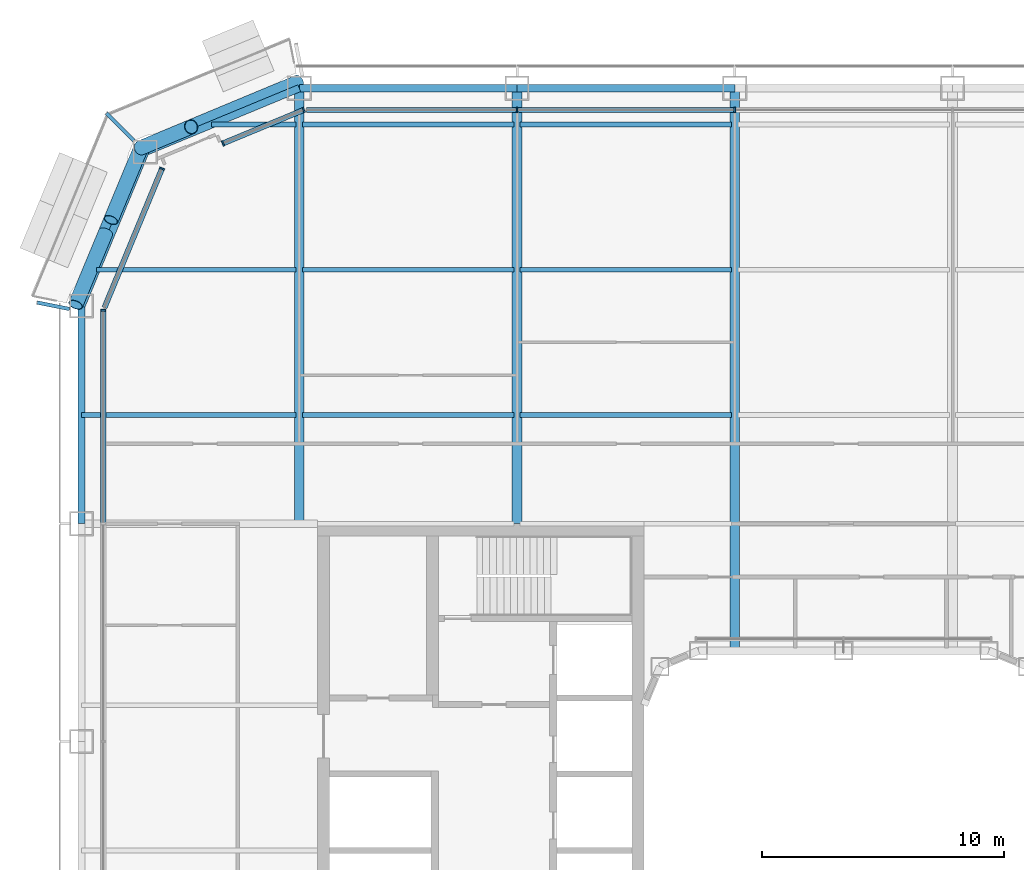
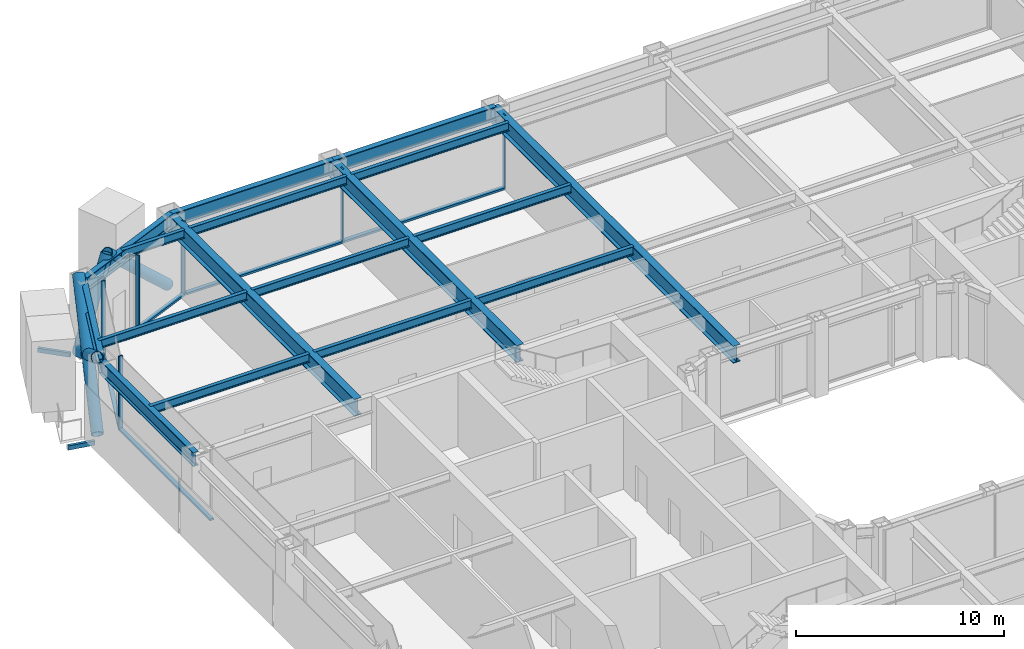
# One storey, part 7 of 28: 19 beams, 16 members, 4 elements without a shape of their own.
"""IFC4 building model written with IfcOpenShell, lengths in metres."""

import ifcopenshell
import ifcopenshell.guid

model = None  # the IFC model being written
_history = None  # IfcOwnerHistory: only IFC2X3 demands one
_inside = {}  # id of a spatial element -> (the spatial element, [elements in it])
_under = {}  # id of a project, library or spatial element -> (it, [spatial elements below it])
_declared = {}  # id of a project -> (the project, [libraries it declares])
_typed = {}  # id of a type object -> (the type object, [elements of that type])
_made_of = {}  # id of a material, layer set ... -> (it, [elements and type objects made of it])


def new_model(schema):
    """Start an empty IFC model of exactly this schema.

    Asked for "IFC4X3", IfcOpenShell would pick the latest addendum, in which some entities
    have other attributes; the version numbers below select the first issue.
    IFC2X3 requires an IfcOwnerHistory on every rooted entity: one is made here for all.
    """
    global model, _history
    if schema == "IFC4X3":
        model = ifcopenshell.file(schema_version=(4, 3, 0, 0))
    else:
        model = ifcopenshell.file(schema=schema)
    _inside.clear()
    _under.clear()
    _declared.clear()
    _typed.clear()
    _made_of.clear()
    _history = None
    if model.schema == "IFC2X3":
        org = make("IfcOrganization", Name="unknown")
        user = make(
            "IfcPersonAndOrganization",
            ThePerson=make("IfcPerson", FamilyName="unknown"),
            TheOrganization=org,
        )
        app = make(
            "IfcApplication",
            ApplicationDeveloper=org,
            Version="unknown",
            ApplicationFullName="unknown",
            ApplicationIdentifier="unknown",
        )
        _history = make(
            "IfcOwnerHistory",
            OwningUser=user,
            OwningApplication=app,
            ChangeAction="ADDED",
            CreationDate=0,
        )
    return model


def make(cls, **values):
    """One entity of the class cls with the attributes given. An attribute that is None is left unset."""
    return model.create_entity(
        cls, **{name: value for name, value in values.items() if value is not None}
    )


def rooted(cls, **values):
    """An entity with a GlobalId (a new one), such as an element, a storey or a relation."""
    return make(cls, GlobalId=ifcopenshell.guid.new(), OwnerHistory=_history, **values)


def si_unit(unit_type, name, prefix=None):
    """IfcSIUnit, for example si_unit("LENGTHUNIT", "METRE", prefix="MILLI")."""
    return make("IfcSIUnit", UnitType=unit_type, Prefix=prefix, Name=name)


def assignment(units):
    """IfcUnitAssignment: the units of a project."""
    return None if units is None else make("IfcUnitAssignment", Units=units)


def point(xyz):
    """IfcCartesianPoint."""
    return None if xyz is None else make("IfcCartesianPoint", Coordinates=xyz)


def direction(xyz):
    """IfcDirection."""
    return None if xyz is None else make("IfcDirection", DirectionRatios=xyz)


def frame(location, z_axis=None, x_axis=None):
    """IfcAxis2Placement3D, a coordinate frame: its origin and axes. An axis left out is left unset."""
    return make(
        "IfcAxis2Placement3D",
        Location=point(location),
        Axis=direction(z_axis),
        RefDirection=direction(x_axis),
    )


def frame_2d(location, x_axis=None):
    """IfcAxis2Placement2D, a coordinate frame in the plane: its origin and x axis."""
    return make(
        "IfcAxis2Placement2D", Location=point(location), RefDirection=direction(x_axis)
    )


def origin():
    """The frame at (0, 0, 0) with its axes left unset."""
    return frame((0.0, 0.0, 0.0))


def origin_2d():
    """The frame at (0, 0) in the plane with its x axis left unset."""
    return frame_2d((0.0, 0.0))


def place(relative_to, where):
    """IfcLocalPlacement: puts the frame where relative to a parent placement (None: the world)."""
    return make(
        "IfcLocalPlacement", PlacementRelTo=relative_to, RelativePlacement=where
    )


def context(
    kind, dimensions, precision=None, world=None, true_north=None, identifier=None
):
    """IfcGeometricRepresentationContext, for example the 3D "Model" context."""
    return make(
        "IfcGeometricRepresentationContext",
        ContextIdentifier=identifier,
        ContextType=kind,
        CoordinateSpaceDimension=dimensions,
        Precision=precision,
        WorldCoordinateSystem=world,
        TrueNorth=true_north,
    )


def subcontext(parent, identifier, kind, view, scale=None):
    """IfcGeometricRepresentationSubContext, for example "Body" below "Model"."""
    return make(
        "IfcGeometricRepresentationSubContext",
        ContextIdentifier=identifier,
        ContextType=kind,
        ParentContext=parent,
        TargetScale=scale,
        TargetView=view,
    )


def project(units=None, contexts=None):
    """IfcProject with its units and contexts."""
    return rooted(
        "IfcProject",
        Name="project",
        RepresentationContexts=contexts,
        UnitsInContext=assignment(units),
    )


def spatial(cls, under=None, at=None, **own):
    """A site, building, storey or space (cls), placed at a placement, below another one or the project."""
    s = rooted(cls, ObjectPlacement=at, **own)
    if under is not None:
        _under.setdefault(under.id(), (under, []))[1].append(s)
    return s


def profile(cls, at=None, kind="AREA", **sizes):
    """A parametric profile (cls). Its sizes go by their IFC names, for example OverallWidth=200.0."""
    return make(cls, ProfileType=kind, Position=at, **sizes)


def rectangle(**sizes):
    """IfcRectangleProfileDef."""
    return profile("IfcRectangleProfileDef", **sizes)


def hollow_rectangle(**sizes):
    """IfcRectangleHollowProfileDef."""
    return profile("IfcRectangleHollowProfileDef", **sizes)


def hollow_circle(**sizes):
    """IfcCircleHollowProfileDef."""
    return profile("IfcCircleHollowProfileDef", **sizes)


def i_section(**sizes):
    """IfcIShapeProfileDef."""
    return profile("IfcIShapeProfileDef", **sizes)


def extrude(swept, where, along, depth):
    """IfcExtrudedAreaSolid: the profile swept, set in the frame where, extruded along a direction by depth."""
    return make(
        "IfcExtrudedAreaSolid",
        SweptArea=swept,
        Position=where,
        ExtrudedDirection=direction(along),
        Depth=depth,
    )


def shape(context_of_items, identifier, shape_type, items):
    """IfcShapeRepresentation: the items that make up one representation, for example the "Body"."""
    return make(
        "IfcShapeRepresentation",
        ContextOfItems=context_of_items,
        RepresentationIdentifier=identifier,
        RepresentationType=shape_type,
        Items=items,
    )


def material(Name=None, Category=None):
    """IfcMaterial."""
    return make("IfcMaterial", Name=Name, Category=Category)


def layer(
    of_material, thickness, ventilated=None, Name=None, Category=None, Priority=None
):
    """IfcMaterialLayer: one layer of a wall or slab, of a material (None: an air gap)."""
    return make(
        "IfcMaterialLayer",
        Material=of_material,
        LayerThickness=thickness,
        IsVentilated=ventilated,
        Name=Name,
        Category=Category,
        Priority=Priority,
    )


def layer_set(layers, Name=None):
    """IfcMaterialLayerSet."""
    return make("IfcMaterialLayerSet", MaterialLayers=layers, LayerSetName=Name)


def material_profile(
    of_material, cross_section, Name=None, Category=None, Priority=None
):
    """IfcMaterialProfile: a cross section and its material."""
    return make(
        "IfcMaterialProfile",
        Name=Name,
        Material=of_material,
        Profile=cross_section,
        Priority=Priority,
        Category=Category,
    )


def profile_set(profiles, Name=None, composite=None):
    """IfcMaterialProfileSet."""
    return make(
        "IfcMaterialProfileSet",
        Name=Name,
        MaterialProfiles=profiles,
        CompositeProfile=composite,
    )


def made_of(thing, what):
    """Note that an element or type object is made of a material, layer set ...; save() writes the relation."""
    if what is not None:
        _made_of.setdefault(what.id(), (what, []))[1].append(thing)
    return thing


def type_object(cls, material=None, **own):
    """A type object (cls), such as IfcWallType, which elements share."""
    return made_of(rooted(cls, **own), material)


def element(
    cls,
    number,
    at=None,
    inside=None,
    cuts=None,
    type_object=None,
    material=None,
    context=None,
    identifier="Body",
    shape_type=None,
    held_by="IfcProductDefinitionShape",
    body=None,
    shapes=None,
    **own,
):
    """One element of the class cls, such as IfcWall. Its Tag is "e" and its number.

    at: its placement. inside: the storey or other place that contains it. cuts: it is an
    opening in that element (IfcRelVoidsElement). A single representation is given by context,
    identifier, shape_type and body (its items); several are given by shapes. held_by: the class
    of the entity that holds the representations. save() writes the other relations.
    """
    e = rooted(cls, Tag="e%d" % number, ObjectPlacement=at, **own)
    if body is not None:
        shapes = [shape(context, identifier, shape_type, body)]
    if shapes is not None:
        e.Representation = make(held_by, Representations=shapes)
    if inside is not None:
        _inside.setdefault(inside.id(), (inside, []))[1].append(e)
    if cuts is not None:
        rooted(
            "IfcRelVoidsElement", RelatingBuildingElement=cuts, RelatedOpeningElement=e
        )
    if type_object is not None:
        _typed.setdefault(type_object.id(), (type_object, []))[1].append(e)
    return made_of(e, material)


def aggregate(whole, parts):
    """IfcRelAggregates: a whole, such as a stair, and the parts it consists of."""
    return rooted("IfcRelAggregates", RelatingObject=whole, RelatedObjects=parts)


def save(model, path):
    """Write the relations noted so far, then the file.

    IfcRelAggregates (storeys below a building ...), IfcRelContainedInSpatialStructure (elements
    in a storey), IfcRelDefinesByType, IfcRelAssociatesMaterial and IfcRelDeclares: one each for
    every whole, place, type object, material and project.
    """
    for whole, parts in _under.values():
        aggregate(whole, parts)
    for where, things in _inside.values():
        rooted(
            "IfcRelContainedInSpatialStructure",
            RelatedElements=things,
            RelatingStructure=where,
        )
    for kind, things in _typed.values():
        rooted("IfcRelDefinesByType", RelatedObjects=things, RelatingType=kind)
    for what, things in _made_of.values():
        rooted("IfcRelAssociatesMaterial", RelatedObjects=things, RelatingMaterial=what)
    for by, libraries in _declared.values():
        rooted("IfcRelDeclares", RelatingContext=by, RelatedDefinitions=libraries)
    model.write(path)


model = new_model("IFC4")

# Units and contexts
model_context = context("Model", 3, precision=1e-05, world=origin(), true_north=direction((0.0, 1.0)))
body_context = subcontext(model_context, "Body", "Model", "MODEL_VIEW")
ifc_project = project(units=[si_unit("LENGTHUNIT", "METRE"), si_unit("AREAUNIT", "SQUARE_METRE"), si_unit("VOLUMEUNIT", "CUBIC_METRE"), si_unit("PLANEANGLEUNIT", "RADIAN"), si_unit("MASSUNIT", "GRAM", prefix="KILO")], contexts=[model_context])

# Site, building, storey
site_placement = place(None, origin())
site = spatial("IfcSite", under=ifc_project, at=site_placement, CompositionType="ELEMENT")
building_placement = place(site_placement, origin())
building = spatial("IfcBuilding", under=site, at=building_placement, Name="Siwar Civic Tower", CompositionType="ELEMENT")
storey_placement = place(building_placement, frame((0.0, 0.0, 85.199951171875)))
storey = spatial("IfcBuildingStorey", under=building, at=storey_placement, Name="L18", CompositionType="ELEMENT", Elevation=85.199951171875)

# Beams
ifc_material_1 = material(Name="Steel S355", Category="steel")
ifc_material_profile_1 = material_profile(ifc_material_1, hollow_rectangle(XDim=0.14990234375, YDim=0.25, WallThickness=0.010009765625, at=origin_2d()), Name="RHS250x150x10")
ifc_profile_set_1 = profile_set([ifc_material_profile_1], Name="Steel S355")
beam_type_1 = type_object("IfcBeamType", Name="ENV-BALCONY ARM", PredefinedType="BEAM", material=ifc_profile_set_1)
beam_1_placement = place(storey_placement, frame((-29.32861328125, 29.32861328125, -0.27490234375), z_axis=(-0.707106781187, 0.707106781187, 0.0), x_axis=(-0.707106781187, -0.707106781187, 0.0)))
element("IfcBeam", 1, at=beam_1_placement, inside=storey, type_object=beam_type_1, Name="Balcony cantilever beam NW 2", PredefinedType="BEAM", context=body_context, shape_type="SweptSolid", body=[
    extrude(hollow_rectangle(XDim=0.14990234375, YDim=0.25, WallThickness=0.010009765625, at=origin_2d()), origin(), (0.0, 0.0, 1.0), 1.615966796875),
])
beam_2_placement = place(storey_placement, frame((-32.0, 22.375244140625, -0.27490234375), z_axis=(-0.980807679798, 0.194977678848, 0.0), x_axis=(-0.194977678848, -0.980807679798, 0.0)))
element("IfcBeam", 2, at=beam_2_placement, inside=storey, type_object=beam_type_1, Name="Balcony cantilever beam NW 3", PredefinedType="BEAM", context=body_context, shape_type="SweptSolid", body=[
    extrude(hollow_rectangle(XDim=0.14990234375, YDim=0.25, WallThickness=0.010009765625, at=origin_2d()), origin(), (0.0, 0.0, 1.0), 1.361083984375),
])

# Curtain wall, members
ifc_material_2 = material(Name="Aluminium and glass", Category="aluminium")
ifc_layer_1 = layer(ifc_material_2, 0.219970703125)
ifc_layer_set_1 = layer_set([ifc_layer_1], Name="Aluminium and glass")
curtain_wall_type_1 = type_object("IfcCurtainWallType", Name="ENV-CW-A", PredefinedType="NOTDEFINED", material=ifc_layer_set_1)
curtain_wall_1_placement = place(storey_placement, origin())
curtain_wall_1 = element("IfcCurtainWall", 3, at=curtain_wall_1_placement, inside=storey, type_object=curtain_wall_type_1, Name="Curtain wall A N", PredefinedType="NOTDEFINED")
ifc_material_3 = material(Name="Aluminium 6063-T6", Category="aluminium")
ifc_material_profile_2 = material_profile(ifc_material_3, rectangle(XDim=0.219970703125, YDim=0.070068359375, at=origin_2d()), Name="AL 220x70")
ifc_profile_set_2 = profile_set([ifc_material_profile_2], Name="Aluminium 6063-T6")
member_type_1 = type_object("IfcMemberType", Name="ENV-MULLION-A", PredefinedType="MULLION", material=ifc_profile_set_2)
member_1_placement = place(storey_placement, frame((-4.5, 30.60009765625, 0.0), z_axis=(0.0, 0.0, 1.0), x_axis=(0.0, -1.0, 0.0)))
member_1 = element("IfcMember", 4, at=member_1_placement, type_object=member_type_1, Name="Mullion A N 4", PredefinedType="MULLION", context=body_context, shape_type="SweptSolid", body=[
    extrude(rectangle(XDim=0.219970703125, YDim=0.070068359375, at=origin_2d()), origin(), (0.0, 0.0, 1.0), 4.35009765625),
])
member_2_placement = place(storey_placement, frame((-13.5, 30.60009765625, 0.0), z_axis=(0.0, 0.0, 1.0), x_axis=(0.0, -1.0, 0.0)))
member_2 = element("IfcMember", 5, at=member_2_placement, type_object=member_type_1, Name="Mullion A N 5", PredefinedType="MULLION", context=body_context, shape_type="SweptSolid", body=[
    extrude(rectangle(XDim=0.219970703125, YDim=0.070068359375, at=origin_2d()), origin(), (0.0, 0.0, 1.0), 4.35009765625),
])

ifc_material_4 = material(Name="Aluminium clad insulated panel", Category="aluminium")
ifc_layer_2 = layer(ifc_material_4, 0.219970703125)
ifc_layer_set_2 = layer_set([ifc_layer_2], Name="Aluminium clad insulated panel")
curtain_wall_type_2 = type_object("IfcCurtainWallType", Name="ENV-CW-AX", PredefinedType="NOTDEFINED", material=ifc_layer_set_2)
curtain_wall_2_placement = place(storey_placement, origin())
curtain_wall_2 = element("IfcCurtainWall", 6, at=curtain_wall_2_placement, inside=storey, type_object=curtain_wall_type_2, Name="Curtain wall A NW1", PredefinedType="NOTDEFINED")
member_3_placement = place(storey_placement, frame((-22.321044921875, 30.60009765625, 0.0), z_axis=(0.0, 0.0, 1.0), x_axis=(0.382683432365, -0.923879532511, 0.0)))
member_3 = element("IfcMember", 7, at=member_3_placement, type_object=member_type_1, Name="Mullion A NW1 1", PredefinedType="MULLION", context=body_context, shape_type="SweptSolid", body=[
    extrude(rectangle(XDim=0.219970703125, YDim=0.070068359375, at=origin_2d()), origin(), (0.0, 0.0, 1.0), 4.35009765625),
])
member_4_placement = place(storey_placement, frame((-25.653564453125, 29.219482421875, 0.0), z_axis=(0.0, 0.0, 1.0), x_axis=(0.382683432365, -0.923879532511, 0.0)))
member_4 = element("IfcMember", 8, at=member_4_placement, type_object=member_type_1, Name="Mullion A NW1 2", PredefinedType="MULLION", context=body_context, shape_type="SweptSolid", body=[
    extrude(rectangle(XDim=0.219970703125, YDim=0.070068359375, at=origin_2d()), origin(), (0.0, 0.0, 1.0), 4.35009765625),
])

# Curtain wall, member
curtain_wall_3_placement = place(storey_placement, origin())
curtain_wall_3 = element("IfcCurtainWall", 9, at=curtain_wall_3_placement, inside=storey, type_object=curtain_wall_type_2, Name="Curtain wall A NW2", PredefinedType="NOTDEFINED")
member_5_placement = place(storey_placement, frame((-28.175048828125, 28.175048828125, 0.0), z_axis=(0.0, 0.0, 1.0), x_axis=(0.923879532511, -0.382683432365, 0.0)))
member_5 = element("IfcMember", 10, at=member_5_placement, type_object=member_type_1, Name="Mullion A NW2 1", PredefinedType="MULLION", context=body_context, shape_type="SweptSolid", body=[
    extrude(rectangle(XDim=0.219970703125, YDim=0.070068359375, at=origin_2d()), origin(), (0.0, 0.0, 1.0), 4.35009765625),
])

curtain_wall_4_placement = place(storey_placement, origin())
curtain_wall_4 = element("IfcCurtainWall", 11, at=curtain_wall_4_placement, inside=storey, type_object=curtain_wall_type_1, Name="Curtain wall A W", PredefinedType="NOTDEFINED")
member_6_placement = place(storey_placement, frame((-30.60009765625, 22.321044921875, 0.0), z_axis=(0.0, 0.0, 1.0), x_axis=(1.0, 0.0, 0.0)))
member_6 = element("IfcMember", 12, at=member_6_placement, type_object=member_type_1, Name="Mullion A W 1", PredefinedType="MULLION", context=body_context, shape_type="SweptSolid", body=[
    extrude(rectangle(XDim=0.219970703125, YDim=0.070068359375, at=origin_2d()), origin(), (0.0, 0.0, 1.0), 4.35009765625),
])

# Member
ifc_material_5 = material(Name="Aluminium 6063-T6", Category="aluminium")
ifc_material_profile_3 = material_profile(ifc_material_5, rectangle(XDim=0.219970703125, YDim=0.1201171875, at=origin_2d()), Name="AL 220x120")
ifc_profile_set_3 = profile_set([ifc_material_profile_3], Name="Aluminium 6063-T6")
member_type_2 = type_object("IfcMemberType", Name="ENV-TRANSOM-A", PredefinedType="USERDEFINED", material=ifc_profile_set_3)
member_7_placement = place(storey_placement, frame((-4.534912109375, 30.60009765625, 0.06005859375), z_axis=(-1.0, 0.0, 0.0), x_axis=(0.0, -1.0, 0.0)))
member_7 = element("IfcMember", 13, at=member_7_placement, type_object=member_type_2, Name="Transom A N 4", ObjectType="TRANSOM", PredefinedType="USERDEFINED", context=body_context, shape_type="SweptSolid", body=[
    extrude(rectangle(XDim=0.219970703125, YDim=0.1201171875, at=origin_2d()), origin(), (0.0, 0.0, 1.0), 8.93017578125),
])

member_8_placement = place(storey_placement, frame((-13.534912109375, 30.60009765625, 0.06005859375), z_axis=(-1.0, 0.0, 0.0), x_axis=(0.0, -1.0, 0.0)))
member_8 = element("IfcMember", 14, at=member_8_placement, type_object=member_type_2, Name="Transom A N 5", ObjectType="TRANSOM", PredefinedType="USERDEFINED", context=body_context, shape_type="SweptSolid", body=[
    extrude(rectangle(XDim=0.219970703125, YDim=0.1201171875, at=origin_2d()), origin(), (0.0, 0.0, 1.0), 8.66357421875),
])

aggregate(curtain_wall_1, [member_1, member_2, member_7, member_8])

member_9_placement = place(storey_placement, frame((-22.353271484375, 30.586669921875, 0.06005859375), z_axis=(-0.923871302809, -0.38270330002, 0.0), x_axis=(0.38270330002, -0.923871302809, 0.0)))
member_9 = element("IfcMember", 15, at=member_9_placement, type_object=member_type_2, Name="Transom A NW1 1", ObjectType="TRANSOM", PredefinedType="USERDEFINED", context=body_context, shape_type="SweptSolid", body=[
    extrude(rectangle(XDim=0.219970703125, YDim=0.1201171875, at=origin_2d()), origin(), (0.0, 0.0, 1.0), 3.537353515625),
])

aggregate(curtain_wall_2, [member_3, member_4, member_9])

member_10_placement = place(storey_placement, frame((-28.1884765625, 28.142822265625, 0.06005859375), z_axis=(-0.382698415042, -0.923873326341, 0.0), x_axis=(0.923873326341, -0.382698415042, 0.0)))
member_10 = element("IfcMember", 16, at=member_10_placement, type_object=member_type_2, Name="Transom A NW2 1", ObjectType="TRANSOM", PredefinedType="USERDEFINED", context=body_context, shape_type="SweptSolid", body=[
    extrude(rectangle(XDim=0.219970703125, YDim=0.1201171875, at=origin_2d()), origin(), (0.0, 0.0, 1.0), 6.17919921875),
])

aggregate(curtain_wall_3, [member_5, member_10])

member_11_placement = place(storey_placement, frame((-30.60009765625, 22.285888671875, 0.06005859375), z_axis=(0.0, -1.0, 0.0), x_axis=(1.0, 0.0, 0.0)))
member_11 = element("IfcMember", 17, at=member_11_placement, type_object=member_type_2, Name="Transom A W 1", ObjectType="TRANSOM", PredefinedType="USERDEFINED", context=body_context, shape_type="SweptSolid", body=[
    extrude(rectangle(XDim=0.219970703125, YDim=0.1201171875, at=origin_2d()), origin(), (0.0, 0.0, 1.0), 8.7509765625),
])

aggregate(curtain_wall_4, [member_6, member_11])

# Members
ifc_material_6 = material(Name="Steel S355", Category="steel")
ifc_material_profile_4 = material_profile(ifc_material_6, hollow_circle(Radius=0.304931640625, WallThickness=0.030029296875, at=origin_2d()), Name="CHS610x30")
ifc_profile_set_4 = profile_set([ifc_material_profile_4], Name="Steel S355")
member_type_3 = type_object("IfcMemberType", Name="STR-BR-CHS610x30", PredefinedType="BRACE", material=ifc_profile_set_4)
member_12_placement = place(storey_placement, frame((-31.7451171875, 22.548828125, 0.0), z_axis=(0.323905527954, 0.777554562952, 0.538975055633), x_axis=(-0.923108759191, 0.384538969033, 0.0)))
element("IfcMember", 18, at=member_12_placement, inside=storey, type_object=member_type_3, Name="L18/brc/ANW1-17-0-1", PredefinedType="BRACE", context=body_context, shape_type="SweptSolid", body=[
    extrude(hollow_circle(Radius=0.304931640625, WallThickness=0.030029296875, at=origin_2d()), origin(), (0.0, 0.0, 1.0), 8.34912109375),
])
member_13_placement = place(storey_placement, frame((-29.040771484375, 29.040771484375, 0.0), z_axis=(-0.323922979564, -0.777542179573, 0.53898243227), x_axis=(0.923099230484, -0.384561842466, 0.0)))
element("IfcMember", 19, at=member_13_placement, inside=storey, type_object=member_type_3, Name="L18/brc/ANW1-17-0-2", PredefinedType="BRACE", context=body_context, shape_type="SweptSolid", body=[
    extrude(hollow_circle(Radius=0.304931640625, WallThickness=0.030029296875, at=origin_2d()), origin(), (0.0, 0.0, 1.0), 3.84375),
])
member_14_placement = place(storey_placement, frame((-30.500244140625, 25.537353515625, 2.428466796875), z_axis=(-0.3238932121, -0.777559680196, 0.53897507446), x_axis=(0.923114847559, -0.384524353215, 0.0)))
element("IfcMember", 20, at=member_14_placement, inside=storey, type_object=member_type_3, Name="L18/brc/ANW1-17-0-3", PredefinedType="BRACE", context=body_context, shape_type="SweptSolid", body=[
    extrude(hollow_circle(Radius=0.304931640625, WallThickness=0.030029296875, at=origin_2d()), origin(), (0.0, 0.0, 1.0), 3.843505859375),
])
member_15_placement = place(storey_placement, frame((-22.548828125, 31.7451171875, 0.0), z_axis=(-0.672864582402, -0.280310719993, 0.684601456328), x_axis=(0.384557494138, -0.923101041979, 0.0)))
element("IfcMember", 21, at=member_15_placement, inside=storey, type_object=member_type_3, Name="L18/brc/ANW1-17-0-0", PredefinedType="BRACE", context=body_context, shape_type="SweptSolid", body=[
    extrude(hollow_circle(Radius=0.304931640625, WallThickness=0.030029296875, at=origin_2d()), origin(), (0.0, 0.0, 1.0), 6.5732421875),
])
member_16_placement = place(storey_placement, frame((-29.040771484375, 29.040771484375, 0.0), z_axis=(0.411570178484, 0.171426870802, 0.895110504993), x_axis=(-0.384499368559, 0.923125254544, 0.0)))
element("IfcMember", 22, at=member_16_placement, inside=storey, type_object=member_type_3, Name="L18/brc/ANW1-17-0-6", PredefinedType="BRACE", context=body_context, shape_type="SweptSolid", body=[
    extrude(hollow_circle(Radius=0.304931640625, WallThickness=0.030029296875, at=origin_2d()), origin(), (0.0, 0.0, 1.0), 5.02734375),
])

# Beams
ifc_material_7 = material(Name="Steel S355", Category="steel")
ifc_material_profile_5 = material_profile(ifc_material_7, i_section(OverallWidth=0.199951171875, OverallDepth=0.5, WebThickness=0.01025390625, FlangeThickness=0.01611328125, FilletRadius=0.02099609375, at=origin_2d()), Name="IPE500")
ifc_profile_set_5 = profile_set([ifc_material_profile_5], Name="Steel S355")
beam_type_2 = type_object("IfcBeamType", Name="STR-FB-IPE500", PredefinedType="JOIST", material=ifc_profile_set_5)
beam_3_placement = place(storey_placement, frame((-31.5, 18.0, 4.10009765625), z_axis=(1.0, 0.0, 0.0), x_axis=(0.0, 1.0, 0.0)))
element("IfcBeam", 23, at=beam_3_placement, inside=storey, type_object=beam_type_2, Name="L18/bm/F046", PredefinedType="JOIST", context=body_context, shape_type="SweptSolid", body=[
    extrude(i_section(OverallWidth=0.199951171875, OverallDepth=0.5, WebThickness=0.01025390625, FlangeThickness=0.01611328125, FilletRadius=0.02099609375, at=origin_2d()), origin(), (0.0, 0.0, 1.0), 8.8701171875),
])
for number, where, z_axis, x_axis, name in (
    (24, (-22.3701171875, 18.0, 4.10009765625), (1.0, 0.0, 0.0), (0.0, 1.0, 0.0), "L18/bm/F047"),
    (25, (-13.3701171875, 18.0, 4.10009765625), (1.0, 0.0, 0.0), (0.0, 1.0, 0.0), "L18/bm/F048"),
):
    element("IfcBeam", number, at=place(storey_placement, frame(where, z_axis=z_axis, x_axis=x_axis)), inside=storey, type_object=beam_type_2, Name=name, PredefinedType="JOIST", context=body_context, shape_type="SweptSolid", body=[
        extrude(i_section(OverallWidth=0.199951171875, OverallDepth=0.5, WebThickness=0.01025390625, FlangeThickness=0.01611328125, FilletRadius=0.02099609375, at=origin_2d()), origin(), (0.0, 0.0, 1.0), 8.740234375),
    ])
beam_4_placement = place(storey_placement, frame((-30.878662109375, 24.0, 4.10009765625), z_axis=(1.0, 0.0, 0.0), x_axis=(0.0, 1.0, 0.0)))
element("IfcBeam", 26, at=beam_4_placement, inside=storey, type_object=beam_type_2, Name="L18/bm/F053", PredefinedType="JOIST", context=body_context, shape_type="SweptSolid", body=[
    extrude(i_section(OverallWidth=0.199951171875, OverallDepth=0.5, WebThickness=0.01025390625, FlangeThickness=0.01611328125, FilletRadius=0.02099609375, at=origin_2d()), origin(), (0.0, 0.0, 1.0), 8.248779296875),
])
for number, where, z_axis, x_axis, name in (
    (27, (-22.3701171875, 24.0, 4.10009765625), (1.0, 0.0, 0.0), (0.0, 1.0, 0.0), "L18/bm/F054"),
    (28, (-13.3701171875, 24.0, 4.10009765625), (1.0, 0.0, 0.0), (0.0, 1.0, 0.0), "L18/bm/F055"),
):
    element("IfcBeam", number, at=place(storey_placement, frame(where, z_axis=z_axis, x_axis=x_axis)), inside=storey, type_object=beam_type_2, Name=name, PredefinedType="JOIST", context=body_context, shape_type="SweptSolid", body=[
        extrude(i_section(OverallWidth=0.199951171875, OverallDepth=0.5, WebThickness=0.01025390625, FlangeThickness=0.01611328125, FilletRadius=0.02099609375, at=origin_2d()), origin(), (0.0, 0.0, 1.0), 8.740234375),
    ])
beam_5_placement = place(storey_placement, frame((-26.121337890625, 30.0, 4.10009765625), z_axis=(1.0, 0.0, 0.0), x_axis=(0.0, 1.0, 0.0)))
element("IfcBeam", 29, at=beam_5_placement, inside=storey, type_object=beam_type_2, Name="L18/bm/F060", PredefinedType="JOIST", context=body_context, shape_type="SweptSolid", body=[
    extrude(i_section(OverallWidth=0.199951171875, OverallDepth=0.5, WebThickness=0.01025390625, FlangeThickness=0.01611328125, FilletRadius=0.02099609375, at=origin_2d()), origin(), (0.0, 0.0, 1.0), 3.491455078125),
])
for number, where, z_axis, x_axis, name in (
    (30, (-22.3701171875, 30.0, 4.10009765625), (1.0, 0.0, 0.0), (0.0, 1.0, 0.0), "L18/bm/F061"),
    (31, (-13.3701171875, 30.0, 4.10009765625), (1.0, 0.0, 0.0), (0.0, 1.0, 0.0), "L18/bm/F062"),
):
    element("IfcBeam", number, at=place(storey_placement, frame(where, z_axis=z_axis, x_axis=x_axis)), inside=storey, type_object=beam_type_2, Name=name, PredefinedType="JOIST", context=body_context, shape_type="SweptSolid", body=[
        extrude(i_section(OverallWidth=0.199951171875, OverallDepth=0.5, WebThickness=0.01025390625, FlangeThickness=0.01611328125, FilletRadius=0.02099609375, at=origin_2d()), origin(), (0.0, 0.0, 1.0), 8.740234375),
    ])
ifc_material_8 = material(Name="Steel S355", Category="steel")
ifc_material_profile_6 = material_profile(ifc_material_8, i_section(OverallWidth=0.39990234375, OverallDepth=1.0, WebThickness=0.01611328125, FlangeThickness=0.0400390625, at=origin_2d()), Name="PG1000x400x16x40")
ifc_profile_set_6 = profile_set([ifc_material_profile_6], Name="Steel S355")
beam_type_3 = type_object("IfcBeamType", Name="STR-PG-PG1000x400x16x40", PredefinedType="BEAM", material=ifc_profile_set_6)
for number, where, z_axis, x_axis, name in (
    (32, (-22.5, 13.5, 3.85009765625), (0.0, 1.0, 0.0), (-1.0, 0.0, 0.0), "L18/bm/G02"),
    (33, (-13.5, 13.5, 3.85009765625), (0.0, 1.0, 0.0), (-1.0, 0.0, 0.0), "L18/bm/G04"),
):
    element("IfcBeam", number, at=place(storey_placement, frame(where, z_axis=z_axis, x_axis=x_axis)), inside=storey, type_object=beam_type_3, Name=name, PredefinedType="BEAM", context=body_context, shape_type="SweptSolid", body=[
        extrude(i_section(OverallWidth=0.39990234375, OverallDepth=1.0, WebThickness=0.01611328125, FlangeThickness=0.0400390625, at=origin_2d()), origin(), (0.0, 0.0, 1.0), 18.0),
    ])
beam_6_placement = place(storey_placement, frame((-4.5, 8.25, 3.85009765625), z_axis=(0.0, 1.0, 0.0), x_axis=(-1.0, 0.0, 0.0)))
element("IfcBeam", 34, at=beam_6_placement, inside=storey, type_object=beam_type_3, Name="L18/bm/G06", PredefinedType="BEAM", context=body_context, shape_type="SweptSolid", body=[
    extrude(i_section(OverallWidth=0.39990234375, OverallDepth=1.0, WebThickness=0.01611328125, FlangeThickness=0.0400390625, at=origin_2d()), origin(), (0.0, 0.0, 1.0), 23.25),
])
ifc_material_9 = material(Name="Steel S355", Category="steel")
ifc_material_profile_7 = material_profile(ifc_material_9, i_section(OverallWidth=0.302978515625, OverallDepth=0.81396484375, WebThickness=0.02099609375, FlangeThickness=0.0400390625, FilletRadius=0.030029296875, at=origin_2d()), Name="HEM800")
ifc_profile_set_7 = profile_set([ifc_material_profile_7], Name="Steel S355")
beam_type_4 = type_object("IfcBeamType", Name="STR-SB-HEM800", PredefinedType="BEAM", material=ifc_profile_set_7)
for number, where, z_axis, x_axis, name in (
    (35, (-4.5, 31.5, 3.943115234375), (-1.0, 0.0, 0.0), (0.0, -1.0, 0.0), "L18/bm/SN-3"),
    (36, (-13.5, 31.5, 3.943115234375), (-1.0, 0.0, 0.0), (0.0, -1.0, 0.0), "L18/bm/SN-4"),
):
    element("IfcBeam", number, at=place(storey_placement, frame(where, z_axis=z_axis, x_axis=x_axis)), inside=storey, type_object=beam_type_4, Name=name, PredefinedType="BEAM", context=body_context, shape_type="SweptSolid", body=[
        extrude(i_section(OverallWidth=0.302978515625, OverallDepth=0.81396484375, WebThickness=0.02099609375, FlangeThickness=0.0400390625, FilletRadius=0.030029296875, at=origin_2d()), origin(), (0.0, 0.0, 1.0), 9.0),
    ])
for number, where, z_axis, x_axis, name in (
    (37, (-22.5, 31.5, 3.943115234375), (-0.923883353507, -0.382674207535, 0.0), (0.382674207535, -0.923883353507, 0.0), "L18/bm/SNW1-0"),
    (38, (-28.864013671875, 28.864013671875, 3.943115234375), (-0.382674207535, -0.923883353507, 0.0), (0.923883353507, -0.382674207535, 0.0), "L18/bm/SNW2-0"),
):
    element("IfcBeam", number, at=place(storey_placement, frame(where, z_axis=z_axis, x_axis=x_axis)), inside=storey, type_object=beam_type_4, Name=name, PredefinedType="BEAM", context=body_context, shape_type="SweptSolid", body=[
        extrude(i_section(OverallWidth=0.302978515625, OverallDepth=0.81396484375, WebThickness=0.02099609375, FlangeThickness=0.0400390625, FilletRadius=0.030029296875, at=origin_2d()), origin(), (0.0, 0.0, 1.0), 6.888427734375),
    ])
beam_7_placement = place(storey_placement, frame((-31.5, 22.5, 3.943115234375), z_axis=(0.0, -1.0, 0.0), x_axis=(1.0, 0.0, 0.0)))
element("IfcBeam", 39, at=beam_7_placement, inside=storey, type_object=beam_type_4, Name="L18/bm/SW-0", PredefinedType="BEAM", context=body_context, shape_type="SweptSolid", body=[
    extrude(i_section(OverallWidth=0.302978515625, OverallDepth=0.81396484375, WebThickness=0.02099609375, FlangeThickness=0.0400390625, FilletRadius=0.030029296875, at=origin_2d()), origin(), (0.0, 0.0, 1.0), 9.0),
])

save(model, "model.ifc")
